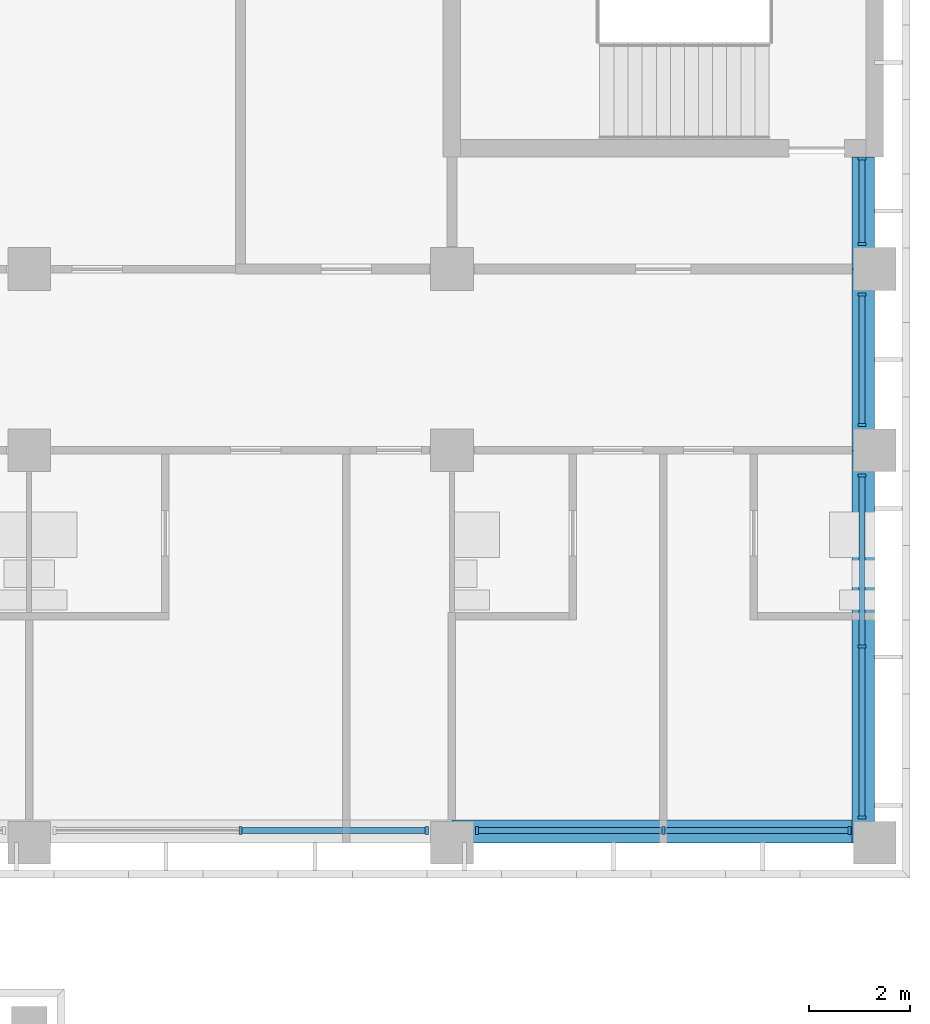
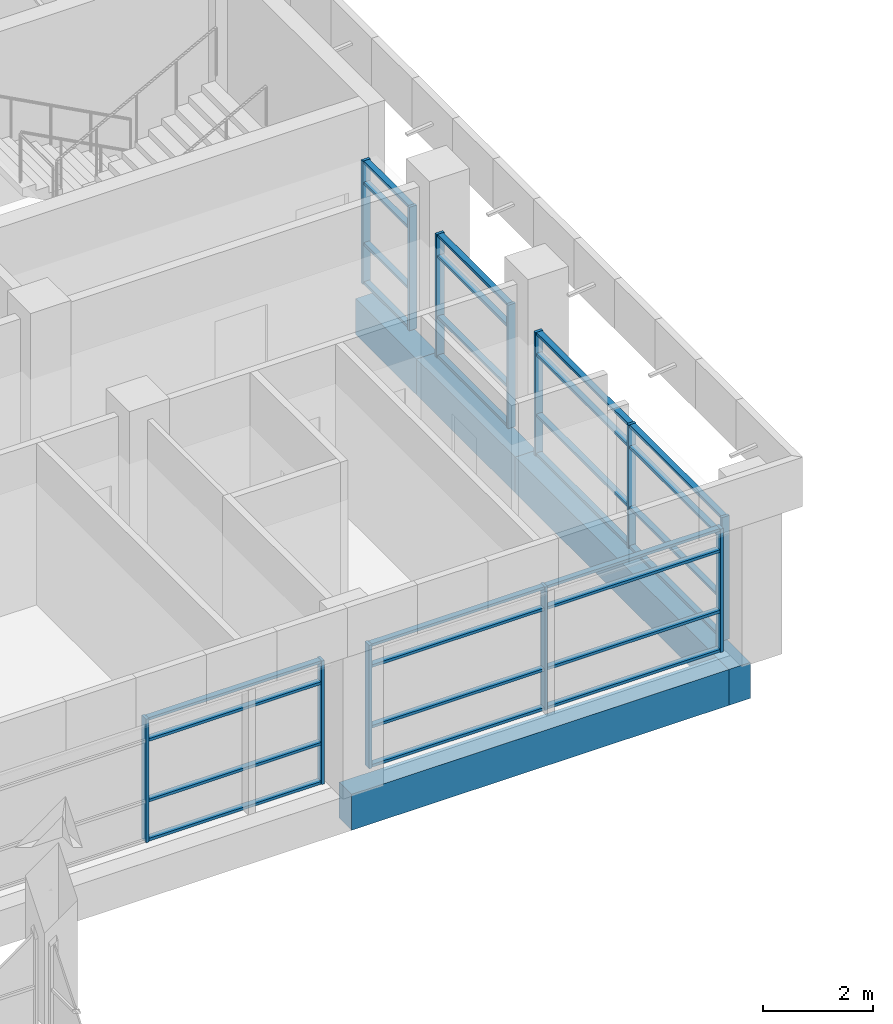
# One storey, part 15 of 74: 40 members, 4 beams, 5 elements without a shape of their own.
"""IFC4 building model written with IfcOpenShell, lengths in metres."""

from ifc_helpers import new_model, si_unit, direction, frame, origin, origin_2d, place, context, subcontext, project, spatial, rectangle, extrude, material, material_profile, profile_set, type_object, element, aggregate, save


model = new_model("IFC4")

# Units and contexts
model_context = context("Model", 3, precision=1e-05, world=origin(), true_north=direction((0.0, 1.0)))
body_context = subcontext(model_context, "Body", "Model", "MODEL_VIEW")
ifc_project = project(units=[si_unit("LENGTHUNIT", "METRE"), si_unit("AREAUNIT", "SQUARE_METRE"), si_unit("VOLUMEUNIT", "CUBIC_METRE"), si_unit("PLANEANGLEUNIT", "RADIAN"), si_unit("MASSUNIT", "GRAM", prefix="KILO")], contexts=[model_context])

# Site, building, storey
site_placement = place(None, origin())
site = spatial("IfcSite", under=ifc_project, at=site_placement, CompositionType="ELEMENT")
building_placement = place(site_placement, origin())
building = spatial("IfcBuilding", under=site, at=building_placement, Name="Bougainvillea Quay General Hospital", CompositionType="ELEMENT")
storey_placement = place(building_placement, frame((0.0, 0.0, 21.0)))
storey = spatial("IfcBuildingStorey", under=building, at=storey_placement, Name="L04", CompositionType="ELEMENT", Elevation=21.0)

# Curtain wall, members
ifc_material_1 = material(Name="Aluminium curtain wall system, powder-coated glazed", Category="aluminium")
curtain_wall_type_1 = type_object("IfcCurtainWallType", Name="Unitised curtain wall CW-3730", PredefinedType="NOTDEFINED", material=ifc_material_1)
curtain_wall_1_placement = place(storey_placement, origin())
curtain_wall_1 = element("IfcCurtainWall", 1, at=curtain_wall_1_placement, inside=storey, type_object=curtain_wall_type_1, Name="CW-4200 01", PredefinedType="NOTDEFINED")
ifc_material_2 = material(Name="Aluminium mullion, powder-coated charcoal", Category="aluminium")
ifc_material_profile_1 = material_profile(ifc_material_2, rectangle(XDim=0.159912109375, YDim=0.06005859375, at=origin_2d()))
ifc_profile_set_1 = profile_set([ifc_material_profile_1], Name="Aluminium mullion, powder-coated charcoal")
member_type_1 = type_object("IfcMemberType", Name="Curtain wall mullion 160x60", PredefinedType="MULLION", material=ifc_profile_set_1)
member_1_placement = place(storey_placement, frame((172.199951171875, 140.64990234375, 0.0), z_axis=(0.0, 0.0, 1.0), x_axis=(0.0, 1.0, 0.0)))
member_1 = element("IfcMember", 2, at=member_1_placement, type_object=member_type_1, Name="CW-4200 mullion 2", PredefinedType="MULLION", context=body_context, shape_type="SweptSolid", body=[
    extrude(rectangle(XDim=0.159912109375, YDim=0.06005859375, at=origin_2d()), origin(), (0.0, 0.0, 1.0), 2.75),
])
member_2_placement = place(storey_placement, frame((175.89990234375, 140.64990234375, 0.0), z_axis=(0.0, 0.0, 1.0), x_axis=(0.0, 1.0, 0.0)))
member_2 = element("IfcMember", 3, at=member_2_placement, type_object=member_type_1, Name="CW-4200 mullion 3", PredefinedType="MULLION", context=body_context, shape_type="SweptSolid", body=[
    extrude(rectangle(XDim=0.159912109375, YDim=0.06005859375, at=origin_2d()), origin(), (0.0, 0.0, 1.0), 2.75),
])

curtain_wall_2_placement = place(storey_placement, origin())
curtain_wall_2 = element("IfcCurtainWall", 4, at=curtain_wall_2_placement, inside=storey, type_object=curtain_wall_type_1, Name="CW-4200 02", PredefinedType="NOTDEFINED")
member_3_placement = place(storey_placement, frame((176.89990234375, 140.64990234375, 0.0), z_axis=(0.0, 0.0, 1.0), x_axis=(0.0, 1.0, 0.0)))
member_3 = element("IfcMember", 5, at=member_3_placement, type_object=member_type_1, Name="CW-4200 mullion 1", PredefinedType="MULLION", context=body_context, shape_type="SweptSolid", body=[
    extrude(rectangle(XDim=0.159912109375, YDim=0.06005859375, at=origin_2d()), origin(), (0.0, 0.0, 1.0), 2.75),
])
member_4_placement = place(storey_placement, frame((180.60009765625, 140.64990234375, 0.0), z_axis=(0.0, 0.0, 1.0), x_axis=(0.0, 1.0, 0.0)))
member_4 = element("IfcMember", 6, at=member_4_placement, type_object=member_type_1, Name="CW-4200 mullion 2", PredefinedType="MULLION", context=body_context, shape_type="SweptSolid", body=[
    extrude(rectangle(XDim=0.159912109375, YDim=0.06005859375, at=origin_2d()), origin(), (0.0, 0.0, 1.0), 2.75),
])
member_5_placement = place(storey_placement, frame((184.300048828125, 140.64990234375, 0.0), z_axis=(0.0, 0.0, 1.0), x_axis=(0.0, 1.0, 0.0)))
member_5 = element("IfcMember", 7, at=member_5_placement, type_object=member_type_1, Name="CW-4200 mullion 3", PredefinedType="MULLION", context=body_context, shape_type="SweptSolid", body=[
    extrude(rectangle(XDim=0.159912109375, YDim=0.06005859375, at=origin_2d()), origin(), (0.0, 0.0, 1.0), 2.75),
])

curtain_wall_type_2 = type_object("IfcCurtainWallType", Name="Unitised curtain wall CW-3430", PredefinedType="NOTDEFINED", material=ifc_material_1)
curtain_wall_3_placement = place(storey_placement, origin())
curtain_wall_3 = element("IfcCurtainWall", 8, at=curtain_wall_3_placement, inside=storey, type_object=curtain_wall_type_2, Name="CW-4200 00", PredefinedType="NOTDEFINED")
member_6_placement = place(storey_placement, frame((184.550048828125, 140.89990234375, 0.0), z_axis=(0.0, 0.0, 1.0), x_axis=(-1.0, 0.0, 0.0)))
member_6 = element("IfcMember", 9, at=member_6_placement, type_object=member_type_1, Name="CW-4200 mullion 1", PredefinedType="MULLION", context=body_context, shape_type="SweptSolid", body=[
    extrude(rectangle(XDim=0.159912109375, YDim=0.06005859375, at=origin_2d()), origin(), (0.0, 0.0, 1.0), 2.75),
])
member_7_placement = place(storey_placement, frame((184.550048828125, 144.300048828125, 0.0), z_axis=(0.0, 0.0, 1.0), x_axis=(-1.0, 0.0, 0.0)))
member_7 = element("IfcMember", 10, at=member_7_placement, type_object=member_type_1, Name="CW-4200 mullion 2", PredefinedType="MULLION", context=body_context, shape_type="SweptSolid", body=[
    extrude(rectangle(XDim=0.159912109375, YDim=0.06005859375, at=origin_2d()), origin(), (0.0, 0.0, 1.0), 2.75),
])
member_8_placement = place(storey_placement, frame((184.550048828125, 147.699951171875, 0.0), z_axis=(0.0, 0.0, 1.0), x_axis=(-1.0, 0.0, 0.0)))
member_8 = element("IfcMember", 11, at=member_8_placement, type_object=member_type_1, Name="CW-4200 mullion 3", PredefinedType="MULLION", context=body_context, shape_type="SweptSolid", body=[
    extrude(rectangle(XDim=0.159912109375, YDim=0.06005859375, at=origin_2d()), origin(), (0.0, 0.0, 1.0), 2.75),
])

curtain_wall_type_3 = type_object("IfcCurtainWallType", Name="Unitised curtain wall CW-2660", PredefinedType="NOTDEFINED", material=ifc_material_1)
curtain_wall_4_placement = place(storey_placement, origin())
curtain_wall_4 = element("IfcCurtainWall", 12, at=curtain_wall_4_placement, inside=storey, type_object=curtain_wall_type_3, Name="CW-4200 01", PredefinedType="NOTDEFINED")
member_9_placement = place(storey_placement, frame((184.550048828125, 148.699951171875, 0.0), z_axis=(0.0, 0.0, 1.0), x_axis=(-1.0, 0.0, 0.0)))
member_9 = element("IfcMember", 13, at=member_9_placement, type_object=member_type_1, Name="CW-4200 mullion 1", PredefinedType="MULLION", context=body_context, shape_type="SweptSolid", body=[
    extrude(rectangle(XDim=0.159912109375, YDim=0.06005859375, at=origin_2d()), origin(), (0.0, 0.0, 1.0), 2.75),
])
member_10_placement = place(storey_placement, frame((184.550048828125, 151.300048828125, 0.0), z_axis=(0.0, 0.0, 1.0), x_axis=(-1.0, 0.0, 0.0)))
member_10 = element("IfcMember", 14, at=member_10_placement, type_object=member_type_1, Name="CW-4200 mullion 2", PredefinedType="MULLION", context=body_context, shape_type="SweptSolid", body=[
    extrude(rectangle(XDim=0.159912109375, YDim=0.06005859375, at=origin_2d()), origin(), (0.0, 0.0, 1.0), 2.75),
])

curtain_wall_type_4 = type_object("IfcCurtainWallType", Name="Unitised curtain wall CW-1755", PredefinedType="NOTDEFINED", material=ifc_material_1)
curtain_wall_5_placement = place(storey_placement, origin())
curtain_wall_5 = element("IfcCurtainWall", 15, at=curtain_wall_5_placement, inside=storey, type_object=curtain_wall_type_4, Name="CW-4200 02", PredefinedType="NOTDEFINED")
member_11_placement = place(storey_placement, frame((184.550048828125, 152.300048828125, 0.0), z_axis=(0.0, 0.0, 1.0), x_axis=(-1.0, 0.0, 0.0)))
member_11 = element("IfcMember", 16, at=member_11_placement, type_object=member_type_1, Name="CW-4200 mullion 1", PredefinedType="MULLION", context=body_context, shape_type="SweptSolid", body=[
    extrude(rectangle(XDim=0.159912109375, YDim=0.06005859375, at=origin_2d()), origin(), (0.0, 0.0, 1.0), 2.75),
])
member_12_placement = place(storey_placement, frame((184.550048828125, 153.9951171875, 0.0), z_axis=(0.0, 0.0, 1.0), x_axis=(-1.0, 0.0, 0.0)))
member_12 = element("IfcMember", 17, at=member_12_placement, type_object=member_type_1, Name="CW-4200 mullion 2", PredefinedType="MULLION", context=body_context, shape_type="SweptSolid", body=[
    extrude(rectangle(XDim=0.159912109375, YDim=0.06005859375, at=origin_2d()), origin(), (0.0, 0.0, 1.0), 2.75),
])

# Member
ifc_material_3 = material(Name="Aluminium transom, powder-coated charcoal", Category="aluminium")
ifc_material_profile_2 = material_profile(ifc_material_3, rectangle(XDim=0.1201171875, YDim=0.06005859375, at=origin_2d()))
ifc_profile_set_2 = profile_set([ifc_material_profile_2], Name="Aluminium transom, powder-coated charcoal")
member_type_2 = type_object("IfcMemberType", Name="Curtain wall transom 120x60", PredefinedType="USERDEFINED", material=ifc_profile_set_2)
member_13_placement = place(storey_placement, frame((172.22998046875, 140.64990234375, 0.030029296875), z_axis=(1.0, 0.0, 0.0), x_axis=(0.0, 1.0, 0.0)))
member_13 = element("IfcMember", 18, at=member_13_placement, type_object=member_type_2, Name="CW-4200 transom 2.1", ObjectType="TRANSOM", PredefinedType="USERDEFINED", context=body_context, shape_type="SweptSolid", body=[
    extrude(rectangle(XDim=0.1201171875, YDim=0.06005859375, at=origin_2d()), origin(), (0.0, 0.0, 1.0), 3.64013671875),
])

member_14_placement = place(storey_placement, frame((172.22998046875, 140.64990234375, 0.89990234375), z_axis=(1.0, 0.0, 0.0), x_axis=(0.0, 1.0, 0.0)))
member_14 = element("IfcMember", 19, at=member_14_placement, type_object=member_type_2, Name="CW-4200 transom 2.2", ObjectType="TRANSOM", PredefinedType="USERDEFINED", context=body_context, shape_type="SweptSolid", body=[
    extrude(rectangle(XDim=0.1201171875, YDim=0.06005859375, at=origin_2d()), origin(), (0.0, 0.0, 1.0), 3.64013671875),
])

member_15_placement = place(storey_placement, frame((172.22998046875, 140.64990234375, 2.25), z_axis=(1.0, 0.0, 0.0), x_axis=(0.0, 1.0, 0.0)))
member_15 = element("IfcMember", 20, at=member_15_placement, type_object=member_type_2, Name="CW-4200 transom 2.3", ObjectType="TRANSOM", PredefinedType="USERDEFINED", context=body_context, shape_type="SweptSolid", body=[
    extrude(rectangle(XDim=0.1201171875, YDim=0.06005859375, at=origin_2d()), origin(), (0.0, 0.0, 1.0), 3.64013671875),
])

member_16_placement = place(storey_placement, frame((172.22998046875, 140.64990234375, 2.719970703125), z_axis=(1.0, 0.0, 0.0), x_axis=(0.0, 1.0, 0.0)))
member_16 = element("IfcMember", 21, at=member_16_placement, type_object=member_type_2, Name="CW-4200 transom 2.4", ObjectType="TRANSOM", PredefinedType="USERDEFINED", context=body_context, shape_type="SweptSolid", body=[
    extrude(rectangle(XDim=0.1201171875, YDim=0.06005859375, at=origin_2d()), origin(), (0.0, 0.0, 1.0), 3.64013671875),
])

aggregate(curtain_wall_1, [member_1, member_2, member_13, member_14, member_15, member_16])

member_17_placement = place(storey_placement, frame((176.929931640625, 140.64990234375, 0.030029296875), z_axis=(1.0, 0.0, 0.0), x_axis=(0.0, 1.0, 0.0)))
member_17 = element("IfcMember", 22, at=member_17_placement, type_object=member_type_2, Name="CW-4200 transom 1.1", ObjectType="TRANSOM", PredefinedType="USERDEFINED", context=body_context, shape_type="SweptSolid", body=[
    extrude(rectangle(XDim=0.1201171875, YDim=0.06005859375, at=origin_2d()), origin(), (0.0, 0.0, 1.0), 3.64013671875),
])

member_18_placement = place(storey_placement, frame((176.929931640625, 140.64990234375, 0.89990234375), z_axis=(1.0, 0.0, 0.0), x_axis=(0.0, 1.0, 0.0)))
member_18 = element("IfcMember", 23, at=member_18_placement, type_object=member_type_2, Name="CW-4200 transom 1.2", ObjectType="TRANSOM", PredefinedType="USERDEFINED", context=body_context, shape_type="SweptSolid", body=[
    extrude(rectangle(XDim=0.1201171875, YDim=0.06005859375, at=origin_2d()), origin(), (0.0, 0.0, 1.0), 3.64013671875),
])

member_19_placement = place(storey_placement, frame((176.929931640625, 140.64990234375, 2.25), z_axis=(1.0, 0.0, 0.0), x_axis=(0.0, 1.0, 0.0)))
member_19 = element("IfcMember", 24, at=member_19_placement, type_object=member_type_2, Name="CW-4200 transom 1.3", ObjectType="TRANSOM", PredefinedType="USERDEFINED", context=body_context, shape_type="SweptSolid", body=[
    extrude(rectangle(XDim=0.1201171875, YDim=0.06005859375, at=origin_2d()), origin(), (0.0, 0.0, 1.0), 3.64013671875),
])

member_20_placement = place(storey_placement, frame((176.929931640625, 140.64990234375, 2.719970703125), z_axis=(1.0, 0.0, 0.0), x_axis=(0.0, 1.0, 0.0)))
member_20 = element("IfcMember", 25, at=member_20_placement, type_object=member_type_2, Name="CW-4200 transom 1.4", ObjectType="TRANSOM", PredefinedType="USERDEFINED", context=body_context, shape_type="SweptSolid", body=[
    extrude(rectangle(XDim=0.1201171875, YDim=0.06005859375, at=origin_2d()), origin(), (0.0, 0.0, 1.0), 3.64013671875),
])

member_21_placement = place(storey_placement, frame((180.6298828125, 140.64990234375, 0.030029296875), z_axis=(1.0, 0.0, 0.0), x_axis=(0.0, 1.0, 0.0)))
member_21 = element("IfcMember", 26, at=member_21_placement, type_object=member_type_2, Name="CW-4200 transom 2.1", ObjectType="TRANSOM", PredefinedType="USERDEFINED", context=body_context, shape_type="SweptSolid", body=[
    extrude(rectangle(XDim=0.1201171875, YDim=0.06005859375, at=origin_2d()), origin(), (0.0, 0.0, 1.0), 3.64013671875),
])

member_22_placement = place(storey_placement, frame((180.6298828125, 140.64990234375, 0.89990234375), z_axis=(1.0, 0.0, 0.0), x_axis=(0.0, 1.0, 0.0)))
member_22 = element("IfcMember", 27, at=member_22_placement, type_object=member_type_2, Name="CW-4200 transom 2.2", ObjectType="TRANSOM", PredefinedType="USERDEFINED", context=body_context, shape_type="SweptSolid", body=[
    extrude(rectangle(XDim=0.1201171875, YDim=0.06005859375, at=origin_2d()), origin(), (0.0, 0.0, 1.0), 3.64013671875),
])

member_23_placement = place(storey_placement, frame((180.6298828125, 140.64990234375, 2.25), z_axis=(1.0, 0.0, 0.0), x_axis=(0.0, 1.0, 0.0)))
member_23 = element("IfcMember", 28, at=member_23_placement, type_object=member_type_2, Name="CW-4200 transom 2.3", ObjectType="TRANSOM", PredefinedType="USERDEFINED", context=body_context, shape_type="SweptSolid", body=[
    extrude(rectangle(XDim=0.1201171875, YDim=0.06005859375, at=origin_2d()), origin(), (0.0, 0.0, 1.0), 3.64013671875),
])

member_24_placement = place(storey_placement, frame((180.6298828125, 140.64990234375, 2.719970703125), z_axis=(1.0, 0.0, 0.0), x_axis=(0.0, 1.0, 0.0)))
member_24 = element("IfcMember", 29, at=member_24_placement, type_object=member_type_2, Name="CW-4200 transom 2.4", ObjectType="TRANSOM", PredefinedType="USERDEFINED", context=body_context, shape_type="SweptSolid", body=[
    extrude(rectangle(XDim=0.1201171875, YDim=0.06005859375, at=origin_2d()), origin(), (0.0, 0.0, 1.0), 3.64013671875),
])

aggregate(curtain_wall_2, [member_3, member_4, member_5, member_17, member_18, member_19, member_20, member_21, member_22, member_23, member_24])

member_25_placement = place(storey_placement, frame((184.550048828125, 140.929931640625, 0.030029296875), z_axis=(0.0, 1.0, 0.0), x_axis=(-1.0, 0.0, 0.0)))
member_25 = element("IfcMember", 30, at=member_25_placement, type_object=member_type_2, Name="CW-4200 transom 1.1", ObjectType="TRANSOM", PredefinedType="USERDEFINED", context=body_context, shape_type="SweptSolid", body=[
    extrude(rectangle(XDim=0.1201171875, YDim=0.06005859375, at=origin_2d()), origin(), (0.0, 0.0, 1.0), 3.340087890625),
])

member_26_placement = place(storey_placement, frame((184.550048828125, 140.929931640625, 0.89990234375), z_axis=(0.0, 1.0, 0.0), x_axis=(-1.0, 0.0, 0.0)))
member_26 = element("IfcMember", 31, at=member_26_placement, type_object=member_type_2, Name="CW-4200 transom 1.2", ObjectType="TRANSOM", PredefinedType="USERDEFINED", context=body_context, shape_type="SweptSolid", body=[
    extrude(rectangle(XDim=0.1201171875, YDim=0.06005859375, at=origin_2d()), origin(), (0.0, 0.0, 1.0), 3.340087890625),
])

member_27_placement = place(storey_placement, frame((184.550048828125, 140.929931640625, 2.25), z_axis=(0.0, 1.0, 0.0), x_axis=(-1.0, 0.0, 0.0)))
member_27 = element("IfcMember", 32, at=member_27_placement, type_object=member_type_2, Name="CW-4200 transom 1.3", ObjectType="TRANSOM", PredefinedType="USERDEFINED", context=body_context, shape_type="SweptSolid", body=[
    extrude(rectangle(XDim=0.1201171875, YDim=0.06005859375, at=origin_2d()), origin(), (0.0, 0.0, 1.0), 3.340087890625),
])

member_28_placement = place(storey_placement, frame((184.550048828125, 140.929931640625, 2.719970703125), z_axis=(0.0, 1.0, 0.0), x_axis=(-1.0, 0.0, 0.0)))
member_28 = element("IfcMember", 33, at=member_28_placement, type_object=member_type_2, Name="CW-4200 transom 1.4", ObjectType="TRANSOM", PredefinedType="USERDEFINED", context=body_context, shape_type="SweptSolid", body=[
    extrude(rectangle(XDim=0.1201171875, YDim=0.06005859375, at=origin_2d()), origin(), (0.0, 0.0, 1.0), 3.340087890625),
])

member_29_placement = place(storey_placement, frame((184.550048828125, 144.330078125, 0.030029296875), z_axis=(0.0, 1.0, 0.0), x_axis=(-1.0, 0.0, 0.0)))
member_29 = element("IfcMember", 34, at=member_29_placement, type_object=member_type_2, Name="CW-4200 transom 2.1", ObjectType="TRANSOM", PredefinedType="USERDEFINED", context=body_context, shape_type="SweptSolid", body=[
    extrude(rectangle(XDim=0.1201171875, YDim=0.06005859375, at=origin_2d()), origin(), (0.0, 0.0, 1.0), 3.33984375),
])

member_30_placement = place(storey_placement, frame((184.550048828125, 144.330078125, 0.89990234375), z_axis=(0.0, 1.0, 0.0), x_axis=(-1.0, 0.0, 0.0)))
member_30 = element("IfcMember", 35, at=member_30_placement, type_object=member_type_2, Name="CW-4200 transom 2.2", ObjectType="TRANSOM", PredefinedType="USERDEFINED", context=body_context, shape_type="SweptSolid", body=[
    extrude(rectangle(XDim=0.1201171875, YDim=0.06005859375, at=origin_2d()), origin(), (0.0, 0.0, 1.0), 3.33984375),
])

member_31_placement = place(storey_placement, frame((184.550048828125, 144.330078125, 2.25), z_axis=(0.0, 1.0, 0.0), x_axis=(-1.0, 0.0, 0.0)))
member_31 = element("IfcMember", 36, at=member_31_placement, type_object=member_type_2, Name="CW-4200 transom 2.3", ObjectType="TRANSOM", PredefinedType="USERDEFINED", context=body_context, shape_type="SweptSolid", body=[
    extrude(rectangle(XDim=0.1201171875, YDim=0.06005859375, at=origin_2d()), origin(), (0.0, 0.0, 1.0), 3.33984375),
])

member_32_placement = place(storey_placement, frame((184.550048828125, 144.330078125, 2.719970703125), z_axis=(0.0, 1.0, 0.0), x_axis=(-1.0, 0.0, 0.0)))
member_32 = element("IfcMember", 37, at=member_32_placement, type_object=member_type_2, Name="CW-4200 transom 2.4", ObjectType="TRANSOM", PredefinedType="USERDEFINED", context=body_context, shape_type="SweptSolid", body=[
    extrude(rectangle(XDim=0.1201171875, YDim=0.06005859375, at=origin_2d()), origin(), (0.0, 0.0, 1.0), 3.33984375),
])

aggregate(curtain_wall_3, [member_6, member_7, member_8, member_25, member_26, member_27, member_28, member_29, member_30, member_31, member_32])

member_33_placement = place(storey_placement, frame((184.550048828125, 148.72998046875, 0.030029296875), z_axis=(0.0, 1.0, 0.0), x_axis=(-1.0, 0.0, 0.0)))
member_33 = element("IfcMember", 38, at=member_33_placement, type_object=member_type_2, Name="CW-4200 transom 1.1", ObjectType="TRANSOM", PredefinedType="USERDEFINED", context=body_context, shape_type="SweptSolid", body=[
    extrude(rectangle(XDim=0.1201171875, YDim=0.06005859375, at=origin_2d()), origin(), (0.0, 0.0, 1.0), 2.5400390625),
])

member_34_placement = place(storey_placement, frame((184.550048828125, 148.72998046875, 0.89990234375), z_axis=(0.0, 1.0, 0.0), x_axis=(-1.0, 0.0, 0.0)))
member_34 = element("IfcMember", 39, at=member_34_placement, type_object=member_type_2, Name="CW-4200 transom 1.2", ObjectType="TRANSOM", PredefinedType="USERDEFINED", context=body_context, shape_type="SweptSolid", body=[
    extrude(rectangle(XDim=0.1201171875, YDim=0.06005859375, at=origin_2d()), origin(), (0.0, 0.0, 1.0), 2.5400390625),
])

member_35_placement = place(storey_placement, frame((184.550048828125, 148.72998046875, 2.25), z_axis=(0.0, 1.0, 0.0), x_axis=(-1.0, 0.0, 0.0)))
member_35 = element("IfcMember", 40, at=member_35_placement, type_object=member_type_2, Name="CW-4200 transom 1.3", ObjectType="TRANSOM", PredefinedType="USERDEFINED", context=body_context, shape_type="SweptSolid", body=[
    extrude(rectangle(XDim=0.1201171875, YDim=0.06005859375, at=origin_2d()), origin(), (0.0, 0.0, 1.0), 2.5400390625),
])

member_36_placement = place(storey_placement, frame((184.550048828125, 148.72998046875, 2.719970703125), z_axis=(0.0, 1.0, 0.0), x_axis=(-1.0, 0.0, 0.0)))
member_36 = element("IfcMember", 41, at=member_36_placement, type_object=member_type_2, Name="CW-4200 transom 1.4", ObjectType="TRANSOM", PredefinedType="USERDEFINED", context=body_context, shape_type="SweptSolid", body=[
    extrude(rectangle(XDim=0.1201171875, YDim=0.06005859375, at=origin_2d()), origin(), (0.0, 0.0, 1.0), 2.5400390625),
])

aggregate(curtain_wall_4, [member_9, member_10, member_33, member_34, member_35, member_36])

member_37_placement = place(storey_placement, frame((184.550048828125, 152.330078125, 0.030029296875), z_axis=(0.0, 1.0, 0.0), x_axis=(-1.0, 0.0, 0.0)))
member_37 = element("IfcMember", 42, at=member_37_placement, type_object=member_type_2, Name="CW-4200 transom 1.1", ObjectType="TRANSOM", PredefinedType="USERDEFINED", context=body_context, shape_type="SweptSolid", body=[
    extrude(rectangle(XDim=0.1201171875, YDim=0.06005859375, at=origin_2d()), origin(), (0.0, 0.0, 1.0), 1.635009765625),
])

member_38_placement = place(storey_placement, frame((184.550048828125, 152.330078125, 0.89990234375), z_axis=(0.0, 1.0, 0.0), x_axis=(-1.0, 0.0, 0.0)))
member_38 = element("IfcMember", 43, at=member_38_placement, type_object=member_type_2, Name="CW-4200 transom 1.2", ObjectType="TRANSOM", PredefinedType="USERDEFINED", context=body_context, shape_type="SweptSolid", body=[
    extrude(rectangle(XDim=0.1201171875, YDim=0.06005859375, at=origin_2d()), origin(), (0.0, 0.0, 1.0), 1.635009765625),
])

member_39_placement = place(storey_placement, frame((184.550048828125, 152.330078125, 2.25), z_axis=(0.0, 1.0, 0.0), x_axis=(-1.0, 0.0, 0.0)))
member_39 = element("IfcMember", 44, at=member_39_placement, type_object=member_type_2, Name="CW-4200 transom 1.3", ObjectType="TRANSOM", PredefinedType="USERDEFINED", context=body_context, shape_type="SweptSolid", body=[
    extrude(rectangle(XDim=0.1201171875, YDim=0.06005859375, at=origin_2d()), origin(), (0.0, 0.0, 1.0), 1.635009765625),
])

member_40_placement = place(storey_placement, frame((184.550048828125, 152.330078125, 2.719970703125), z_axis=(0.0, 1.0, 0.0), x_axis=(-1.0, 0.0, 0.0)))
member_40 = element("IfcMember", 45, at=member_40_placement, type_object=member_type_2, Name="CW-4200 transom 1.4", ObjectType="TRANSOM", PredefinedType="USERDEFINED", context=body_context, shape_type="SweptSolid", body=[
    extrude(rectangle(XDim=0.1201171875, YDim=0.06005859375, at=origin_2d()), origin(), (0.0, 0.0, 1.0), 1.635009765625),
])

aggregate(curtain_wall_5, [member_11, member_12, member_37, member_38, member_39, member_40])

# Beams
ifc_material_4 = material(Name="Concrete C40", Category="concrete")
ifc_material_profile_3 = material_profile(ifc_material_4, rectangle(XDim=0.449951171875, YDim=0.800048828125, at=origin_2d()))
ifc_profile_set_3 = profile_set([ifc_material_profile_3], Name="Concrete C40")
beam_type = type_object("IfcBeamType", Name="RC BEAM 450x800 C40", PredefinedType="BEAM", material=ifc_profile_set_3)
beam_1_placement = place(storey_placement, frame((176.39990234375, 140.625, -0.699951171875), z_axis=(1.0, 0.0, 0.0), x_axis=(0.0, 1.0, 0.0)))
element("IfcBeam", 46, at=beam_1_placement, inside=storey, type_object=beam_type, Name="Edge beam L04", PredefinedType="BEAM", context=body_context, shape_type="SweptSolid", body=[
    extrude(rectangle(XDim=0.449951171875, YDim=0.800048828125, at=origin_2d()), origin(), (0.0, 0.0, 1.0), 8.400146484375),
])
beam_2_placement = place(storey_placement, frame((184.574951171875, 140.39990234375, -0.699951171875), z_axis=(0.0, 1.0, 0.0), x_axis=(-1.0, 0.0, 0.0)))
element("IfcBeam", 47, at=beam_2_placement, inside=storey, type_object=beam_type, Name="Edge beam L04", PredefinedType="BEAM", context=body_context, shape_type="SweptSolid", body=[
    extrude(rectangle(XDim=0.449951171875, YDim=0.800048828125, at=origin_2d()), origin(), (0.0, 0.0, 1.0), 7.800048828125),
])
beam_3_placement = place(storey_placement, frame((184.574951171875, 148.199951171875, -0.699951171875), z_axis=(0.0, 1.0, 0.0), x_axis=(-1.0, 0.0, 0.0)))
element("IfcBeam", 48, at=beam_3_placement, inside=storey, type_object=beam_type, Name="Edge beam L04", PredefinedType="BEAM", context=body_context, shape_type="SweptSolid", body=[
    extrude(rectangle(XDim=0.449951171875, YDim=0.800048828125, at=origin_2d()), origin(), (0.0, 0.0, 1.0), 3.60009765625),
])
beam_4_placement = place(storey_placement, frame((184.574951171875, 151.800048828125, -0.699951171875), z_axis=(0.0, 1.0, 0.0), x_axis=(-1.0, 0.0, 0.0)))
element("IfcBeam", 49, at=beam_4_placement, inside=storey, type_object=beam_type, Name="Edge beam L04", PredefinedType="BEAM", context=body_context, shape_type="SweptSolid", body=[
    extrude(rectangle(XDim=0.449951171875, YDim=0.800048828125, at=origin_2d()), origin(), (0.0, 0.0, 1.0), 2.224853515625),
])

save(model, "model.ifc")
